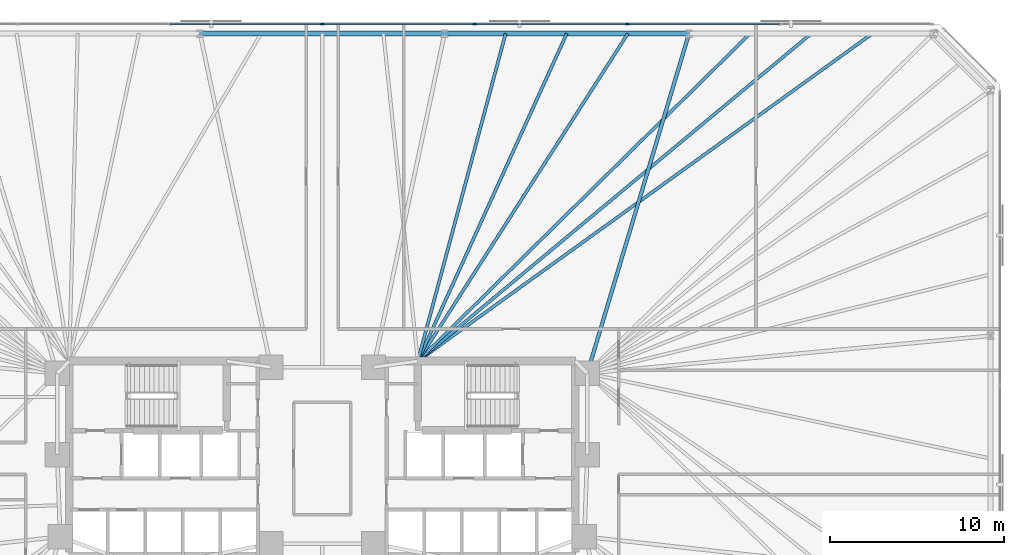
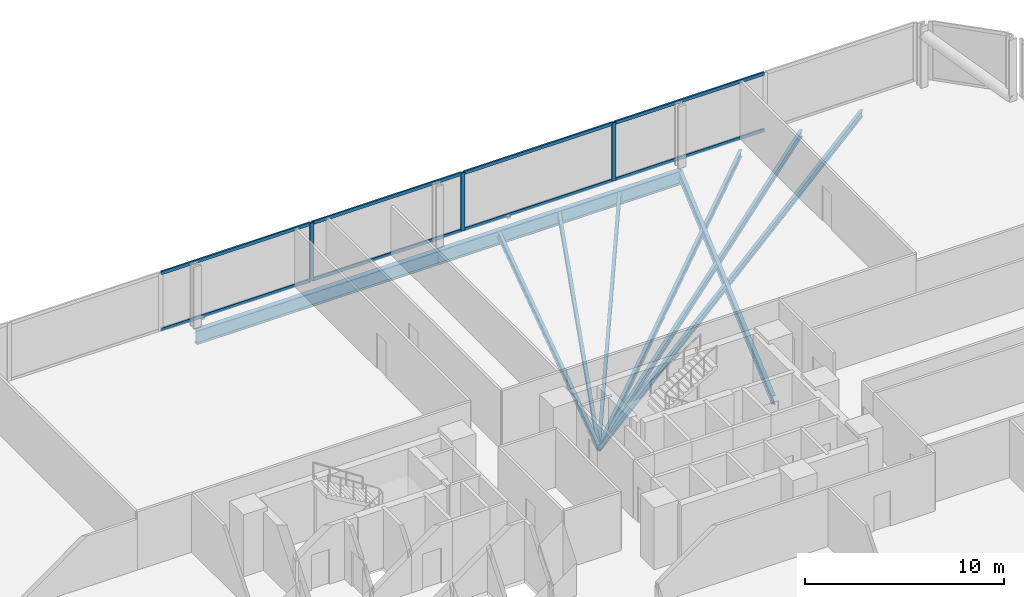
# One storey, part 9 of 17: 11 members, 9 beams, 1 element without a shape of its own.
"""IFC4 building model written with IfcOpenShell, lengths in metres."""

import ifcopenshell
import ifcopenshell.guid

model = None  # the IFC model being written
_history = None  # IfcOwnerHistory: only IFC2X3 demands one
_inside = {}  # id of a spatial element -> (the spatial element, [elements in it])
_under = {}  # id of a project, library or spatial element -> (it, [spatial elements below it])
_declared = {}  # id of a project -> (the project, [libraries it declares])
_typed = {}  # id of a type object -> (the type object, [elements of that type])
_made_of = {}  # id of a material, layer set ... -> (it, [elements and type objects made of it])


def new_model(schema):
    """Start an empty IFC model of exactly this schema.

    Asked for "IFC4X3", IfcOpenShell would pick the latest addendum, in which some entities
    have other attributes; the version numbers below select the first issue.
    IFC2X3 requires an IfcOwnerHistory on every rooted entity: one is made here for all.
    """
    global model, _history
    if schema == "IFC4X3":
        model = ifcopenshell.file(schema_version=(4, 3, 0, 0))
    else:
        model = ifcopenshell.file(schema=schema)
    _inside.clear()
    _under.clear()
    _declared.clear()
    _typed.clear()
    _made_of.clear()
    _history = None
    if model.schema == "IFC2X3":
        org = make("IfcOrganization", Name="unknown")
        user = make(
            "IfcPersonAndOrganization",
            ThePerson=make("IfcPerson", FamilyName="unknown"),
            TheOrganization=org,
        )
        app = make(
            "IfcApplication",
            ApplicationDeveloper=org,
            Version="unknown",
            ApplicationFullName="unknown",
            ApplicationIdentifier="unknown",
        )
        _history = make(
            "IfcOwnerHistory",
            OwningUser=user,
            OwningApplication=app,
            ChangeAction="ADDED",
            CreationDate=0,
        )
    return model


def make(cls, **values):
    """One entity of the class cls with the attributes given. An attribute that is None is left unset."""
    return model.create_entity(
        cls, **{name: value for name, value in values.items() if value is not None}
    )


def rooted(cls, **values):
    """An entity with a GlobalId (a new one), such as an element, a storey or a relation."""
    return make(cls, GlobalId=ifcopenshell.guid.new(), OwnerHistory=_history, **values)


def si_unit(unit_type, name, prefix=None):
    """IfcSIUnit, for example si_unit("LENGTHUNIT", "METRE", prefix="MILLI")."""
    return make("IfcSIUnit", UnitType=unit_type, Prefix=prefix, Name=name)


def assignment(units):
    """IfcUnitAssignment: the units of a project."""
    return None if units is None else make("IfcUnitAssignment", Units=units)


def point(xyz):
    """IfcCartesianPoint."""
    return None if xyz is None else make("IfcCartesianPoint", Coordinates=xyz)


def direction(xyz):
    """IfcDirection."""
    return None if xyz is None else make("IfcDirection", DirectionRatios=xyz)


def frame(location, z_axis=None, x_axis=None):
    """IfcAxis2Placement3D, a coordinate frame: its origin and axes. An axis left out is left unset."""
    return make(
        "IfcAxis2Placement3D",
        Location=point(location),
        Axis=direction(z_axis),
        RefDirection=direction(x_axis),
    )


def frame_2d(location, x_axis=None):
    """IfcAxis2Placement2D, a coordinate frame in the plane: its origin and x axis."""
    return make(
        "IfcAxis2Placement2D", Location=point(location), RefDirection=direction(x_axis)
    )


def origin():
    """The frame at (0, 0, 0) with its axes left unset."""
    return frame((0.0, 0.0, 0.0))


def origin_2d():
    """The frame at (0, 0) in the plane with its x axis left unset."""
    return frame_2d((0.0, 0.0))


def place(relative_to, where):
    """IfcLocalPlacement: puts the frame where relative to a parent placement (None: the world)."""
    return make(
        "IfcLocalPlacement", PlacementRelTo=relative_to, RelativePlacement=where
    )


def context(
    kind, dimensions, precision=None, world=None, true_north=None, identifier=None
):
    """IfcGeometricRepresentationContext, for example the 3D "Model" context."""
    return make(
        "IfcGeometricRepresentationContext",
        ContextIdentifier=identifier,
        ContextType=kind,
        CoordinateSpaceDimension=dimensions,
        Precision=precision,
        WorldCoordinateSystem=world,
        TrueNorth=true_north,
    )


def subcontext(parent, identifier, kind, view, scale=None):
    """IfcGeometricRepresentationSubContext, for example "Body" below "Model"."""
    return make(
        "IfcGeometricRepresentationSubContext",
        ContextIdentifier=identifier,
        ContextType=kind,
        ParentContext=parent,
        TargetScale=scale,
        TargetView=view,
    )


def project(units=None, contexts=None):
    """IfcProject with its units and contexts."""
    return rooted(
        "IfcProject",
        Name="project",
        RepresentationContexts=contexts,
        UnitsInContext=assignment(units),
    )


def spatial(cls, under=None, at=None, **own):
    """A site, building, storey or space (cls), placed at a placement, below another one or the project."""
    s = rooted(cls, ObjectPlacement=at, **own)
    if under is not None:
        _under.setdefault(under.id(), (under, []))[1].append(s)
    return s


def profile(cls, at=None, kind="AREA", **sizes):
    """A parametric profile (cls). Its sizes go by their IFC names, for example OverallWidth=200.0."""
    return make(cls, ProfileType=kind, Position=at, **sizes)


def rectangle(**sizes):
    """IfcRectangleProfileDef."""
    return profile("IfcRectangleProfileDef", **sizes)


def i_section(**sizes):
    """IfcIShapeProfileDef."""
    return profile("IfcIShapeProfileDef", **sizes)


def extrude(swept, where, along, depth):
    """IfcExtrudedAreaSolid: the profile swept, set in the frame where, extruded along a direction by depth."""
    return make(
        "IfcExtrudedAreaSolid",
        SweptArea=swept,
        Position=where,
        ExtrudedDirection=direction(along),
        Depth=depth,
    )


def shape(context_of_items, identifier, shape_type, items):
    """IfcShapeRepresentation: the items that make up one representation, for example the "Body"."""
    return make(
        "IfcShapeRepresentation",
        ContextOfItems=context_of_items,
        RepresentationIdentifier=identifier,
        RepresentationType=shape_type,
        Items=items,
    )


def material(Name=None, Category=None):
    """IfcMaterial."""
    return make("IfcMaterial", Name=Name, Category=Category)


def material_profile(
    of_material, cross_section, Name=None, Category=None, Priority=None
):
    """IfcMaterialProfile: a cross section and its material."""
    return make(
        "IfcMaterialProfile",
        Name=Name,
        Material=of_material,
        Profile=cross_section,
        Priority=Priority,
        Category=Category,
    )


def profile_set(profiles, Name=None, composite=None):
    """IfcMaterialProfileSet."""
    return make(
        "IfcMaterialProfileSet",
        Name=Name,
        MaterialProfiles=profiles,
        CompositeProfile=composite,
    )


def made_of(thing, what):
    """Note that an element or type object is made of a material, layer set ...; save() writes the relation."""
    if what is not None:
        _made_of.setdefault(what.id(), (what, []))[1].append(thing)
    return thing


def type_object(cls, material=None, **own):
    """A type object (cls), such as IfcWallType, which elements share."""
    return made_of(rooted(cls, **own), material)


def element(
    cls,
    number,
    at=None,
    inside=None,
    cuts=None,
    type_object=None,
    material=None,
    context=None,
    identifier="Body",
    shape_type=None,
    held_by="IfcProductDefinitionShape",
    body=None,
    shapes=None,
    **own,
):
    """One element of the class cls, such as IfcWall. Its Tag is "e" and its number.

    at: its placement. inside: the storey or other place that contains it. cuts: it is an
    opening in that element (IfcRelVoidsElement). A single representation is given by context,
    identifier, shape_type and body (its items); several are given by shapes. held_by: the class
    of the entity that holds the representations. save() writes the other relations.
    """
    e = rooted(cls, Tag="e%d" % number, ObjectPlacement=at, **own)
    if body is not None:
        shapes = [shape(context, identifier, shape_type, body)]
    if shapes is not None:
        e.Representation = make(held_by, Representations=shapes)
    if inside is not None:
        _inside.setdefault(inside.id(), (inside, []))[1].append(e)
    if cuts is not None:
        rooted(
            "IfcRelVoidsElement", RelatingBuildingElement=cuts, RelatedOpeningElement=e
        )
    if type_object is not None:
        _typed.setdefault(type_object.id(), (type_object, []))[1].append(e)
    return made_of(e, material)


def aggregate(whole, parts):
    """IfcRelAggregates: a whole, such as a stair, and the parts it consists of."""
    return rooted("IfcRelAggregates", RelatingObject=whole, RelatedObjects=parts)


def save(model, path):
    """Write the relations noted so far, then the file.

    IfcRelAggregates (storeys below a building ...), IfcRelContainedInSpatialStructure (elements
    in a storey), IfcRelDefinesByType, IfcRelAssociatesMaterial and IfcRelDeclares: one each for
    every whole, place, type object, material and project.
    """
    for whole, parts in _under.values():
        aggregate(whole, parts)
    for where, things in _inside.values():
        rooted(
            "IfcRelContainedInSpatialStructure",
            RelatedElements=things,
            RelatingStructure=where,
        )
    for kind, things in _typed.values():
        rooted("IfcRelDefinesByType", RelatedObjects=things, RelatingType=kind)
    for what, things in _made_of.values():
        rooted("IfcRelAssociatesMaterial", RelatedObjects=things, RelatingMaterial=what)
    for by, libraries in _declared.values():
        rooted("IfcRelDeclares", RelatingContext=by, RelatedDefinitions=libraries)
    model.write(path)


model = new_model("IFC4")

# Units and contexts
model_context = context("Model", 3, precision=1e-05, world=origin(), true_north=direction((0.0, 1.0)))
body_context = subcontext(model_context, "Body", "Model", "MODEL_VIEW")
ifc_project = project(units=[si_unit("LENGTHUNIT", "METRE"), si_unit("AREAUNIT", "SQUARE_METRE"), si_unit("VOLUMEUNIT", "CUBIC_METRE"), si_unit("PLANEANGLEUNIT", "RADIAN"), si_unit("MASSUNIT", "GRAM", prefix="KILO")], contexts=[model_context])

# Site, building, storey
site_placement = place(None, origin())
site = spatial("IfcSite", under=ifc_project, at=site_placement, CompositionType="ELEMENT")
building_placement = place(site_placement, origin())
building = spatial("IfcBuilding", under=site, at=building_placement, Name="Menara Jurai Vektor", CompositionType="ELEMENT")
storey_placement = place(building_placement, frame((0.0, 0.0, 29.39990234375)))
storey = spatial("IfcBuildingStorey", under=building, at=storey_placement, Name="L06", CompositionType="ELEMENT", Elevation=29.39990234375)

# Curtain wall, members
ifc_material_1 = material(Name="Anodised Pale Aluminium & Low-E Double Glazing", Category="aluminium")
curtain_wall_type = type_object("IfcCurtainWallType", Name="CW-BLK1", PredefinedType="NOTDEFINED", material=ifc_material_1)
curtain_wall_placement = place(storey_placement, origin())
curtain_wall = element("IfcCurtainWall", 1, at=curtain_wall_placement, inside=storey, type_object=curtain_wall_type, Name="Unitised Curtain Wall L06 F05", PredefinedType="NOTDEFINED")
ifc_material_2 = material(Name="Anodised Pale Aluminium Mullion", Category="aluminium")
ifc_material_profile_1 = material_profile(ifc_material_2, rectangle(XDim=0.094970703125, YDim=0.239990234375, at=origin_2d()), Name="ALU MUL 95x240")
ifc_profile_set_1 = profile_set([ifc_material_profile_1], Name="Anodised Pale Aluminium Mullion")
member_type_1 = type_object("IfcMemberType", Name="CW-BLK1-MUL", PredefinedType="MULLION", material=ifc_profile_set_1)
member_1_placement = place(storey_placement, frame((17.56005859375, 25.0, 0.0), z_axis=(0.0, 0.0, 1.0), x_axis=(0.0, -1.0, 0.0)))
member_1 = element("IfcMember", 2, at=member_1_placement, type_object=member_type_1, Name="CW-01 mullion 3", PredefinedType="MULLION", context=body_context, shape_type="SweptSolid", body=[
    extrude(rectangle(XDim=0.094970703125, YDim=0.239990234375, at=origin_2d()), origin(), (0.0, 0.0, 1.0), 3.5751953125),
])
member_2_placement = place(storey_placement, frame((8.780029296875, 25.0, 0.0), z_axis=(0.0, 0.0, 1.0), x_axis=(0.0, -1.0, 0.0)))
member_2 = element("IfcMember", 3, at=member_2_placement, type_object=member_type_1, Name="CW-01 mullion 4", PredefinedType="MULLION", context=body_context, shape_type="SweptSolid", body=[
    extrude(rectangle(XDim=0.094970703125, YDim=0.239990234375, at=origin_2d()), origin(), (0.0, 0.0, 1.0), 3.5751953125),
])
member_3_placement = place(storey_placement, frame((0.0, 25.0, 0.0), z_axis=(0.0, 0.0, 1.0), x_axis=(0.0, -1.0, 0.0)))
member_3 = element("IfcMember", 4, at=member_3_placement, type_object=member_type_1, Name="CW-01 mullion 5", PredefinedType="MULLION", context=body_context, shape_type="SweptSolid", body=[
    extrude(rectangle(XDim=0.094970703125, YDim=0.239990234375, at=origin_2d()), origin(), (0.0, 0.0, 1.0), 3.5751953125),
])
ifc_material_3 = material(Name="Anodised Pale Aluminium Transom", Category="aluminium")
ifc_material_profile_2 = material_profile(ifc_material_3, rectangle(XDim=0.094970703125, YDim=0.199951171875, at=origin_2d()), Name="ALU TRN 95x200")
ifc_profile_set_2 = profile_set([ifc_material_profile_2], Name="Anodised Pale Aluminium Transom")
member_type_2 = type_object("IfcMemberType", Name="CW-BLK1-TRN", PredefinedType="USERDEFINED", material=ifc_profile_set_2)
member_4_placement = place(storey_placement, frame((26.29248046875, 25.0, 0.047607421875), z_axis=(-1.0, 0.0, 0.0), x_axis=(0.0, -1.0, 0.0)))
member_4 = element("IfcMember", 5, at=member_4_placement, type_object=member_type_2, Name="CW-01 transom 2.1", ObjectType="TRANSOM", PredefinedType="USERDEFINED", context=body_context, shape_type="SweptSolid", body=[
    extrude(rectangle(XDim=0.094970703125, YDim=0.199951171875, at=origin_2d()), origin(), (0.0, 0.0, 1.0), 8.68505859375),
])
member_5_placement = place(storey_placement, frame((26.29248046875, 25.0, 3.527587890625), z_axis=(-1.0, 0.0, 0.0), x_axis=(0.0, -1.0, 0.0)))
member_5 = element("IfcMember", 6, at=member_5_placement, type_object=member_type_2, Name="CW-01 transom 2.2", ObjectType="TRANSOM", PredefinedType="USERDEFINED", context=body_context, shape_type="SweptSolid", body=[
    extrude(rectangle(XDim=0.094970703125, YDim=0.199951171875, at=origin_2d()), origin(), (0.0, 0.0, 1.0), 8.68505859375),
])
member_6_placement = place(storey_placement, frame((17.512451171875, 25.0, 0.047607421875), z_axis=(-1.0, 0.0, 0.0), x_axis=(0.0, -1.0, 0.0)))
member_6 = element("IfcMember", 7, at=member_6_placement, type_object=member_type_2, Name="CW-01 transom 3.1", ObjectType="TRANSOM", PredefinedType="USERDEFINED", context=body_context, shape_type="SweptSolid", body=[
    extrude(rectangle(XDim=0.094970703125, YDim=0.199951171875, at=origin_2d()), origin(), (0.0, 0.0, 1.0), 8.68505859375),
])
member_7_placement = place(storey_placement, frame((17.512451171875, 25.0, 3.527587890625), z_axis=(-1.0, 0.0, 0.0), x_axis=(0.0, -1.0, 0.0)))
member_7 = element("IfcMember", 8, at=member_7_placement, type_object=member_type_2, Name="CW-01 transom 3.2", ObjectType="TRANSOM", PredefinedType="USERDEFINED", context=body_context, shape_type="SweptSolid", body=[
    extrude(rectangle(XDim=0.094970703125, YDim=0.199951171875, at=origin_2d()), origin(), (0.0, 0.0, 1.0), 8.68505859375),
])
member_8_placement = place(storey_placement, frame((8.732421875, 25.0, 0.047607421875), z_axis=(-1.0, 0.0, 0.0), x_axis=(0.0, -1.0, 0.0)))
member_8 = element("IfcMember", 9, at=member_8_placement, type_object=member_type_2, Name="CW-01 transom 4.1", ObjectType="TRANSOM", PredefinedType="USERDEFINED", context=body_context, shape_type="SweptSolid", body=[
    extrude(rectangle(XDim=0.094970703125, YDim=0.199951171875, at=origin_2d()), origin(), (0.0, 0.0, 1.0), 8.684814453125),
])
member_9_placement = place(storey_placement, frame((8.732421875, 25.0, 3.527587890625), z_axis=(-1.0, 0.0, 0.0), x_axis=(0.0, -1.0, 0.0)))
member_9 = element("IfcMember", 10, at=member_9_placement, type_object=member_type_2, Name="CW-01 transom 4.2", ObjectType="TRANSOM", PredefinedType="USERDEFINED", context=body_context, shape_type="SweptSolid", body=[
    extrude(rectangle(XDim=0.094970703125, YDim=0.199951171875, at=origin_2d()), origin(), (0.0, 0.0, 1.0), 8.684814453125),
])
member_10_placement = place(storey_placement, frame((-0.047607421875, 25.0, 0.047607421875), z_axis=(-1.0, 0.0, 0.0), x_axis=(0.0, -1.0, 0.0)))
member_10 = element("IfcMember", 11, at=member_10_placement, type_object=member_type_2, Name="CW-01 transom 5.1", ObjectType="TRANSOM", PredefinedType="USERDEFINED", context=body_context, shape_type="SweptSolid", body=[
    extrude(rectangle(XDim=0.094970703125, YDim=0.199951171875, at=origin_2d()), origin(), (0.0, 0.0, 1.0), 8.684814453125),
])
member_11_placement = place(storey_placement, frame((-0.047607421875, 25.0, 3.527587890625), z_axis=(-1.0, 0.0, 0.0), x_axis=(0.0, -1.0, 0.0)))
member_11 = element("IfcMember", 12, at=member_11_placement, type_object=member_type_2, Name="CW-01 transom 5.2", ObjectType="TRANSOM", PredefinedType="USERDEFINED", context=body_context, shape_type="SweptSolid", body=[
    extrude(rectangle(XDim=0.094970703125, YDim=0.199951171875, at=origin_2d()), origin(), (0.0, 0.0, 1.0), 8.684814453125),
])
aggregate(curtain_wall, [member_1, member_2, member_3, member_4, member_5, member_6, member_7, member_8, member_9, member_10, member_11])

# Beams
ifc_material_4 = material(Name="Steel S355", Category="steel")
ifc_material_profile_3 = material_profile(ifc_material_4, i_section(OverallWidth=0.2109375, OverallDepth=0.5390625, WebThickness=0.011962890625, FlangeThickness=0.01904296875, FilletRadius=0.012939453125, at=origin_2d()), Name="UKB 533x210x109")
ifc_profile_set_3 = profile_set([ifc_material_profile_3], Name="Steel S355")
beam_type_1 = type_object("IfcBeamType", Name="STR-BM-533", PredefinedType="BEAM", material=ifc_profile_set_3)
beam_1_placement = place(storey_placement, frame((21.106689453125, 24.449951171875, -0.494384765625), z_axis=(-0.286973617166, -0.957938486047, 0.0), x_axis=(0.957938486047, -0.286973617166, 0.0)))
element("IfcBeam", 13, at=beam_1_placement, inside=storey, type_object=beam_type_1, Name="Radial Floor Girder L06-N2", PredefinedType="BEAM", context=body_context, shape_type="SweptSolid", body=[
    extrude(i_section(OverallWidth=0.2109375, OverallDepth=0.5390625, WebThickness=0.011962890625, FlangeThickness=0.01904296875, FilletRadius=0.012939453125, at=origin_2d()), origin(), (0.0, 0.0, 1.0), 20.408447265625),
])
ifc_material_profile_4 = material_profile(ifc_material_4, i_section(OverallWidth=0.178955078125, OverallDepth=0.408935546875, WebThickness=0.009033203125, FlangeThickness=0.013916015625, FilletRadius=0.010009765625, at=origin_2d()), Name="UKB 406x178x67")
ifc_profile_set_4 = profile_set([ifc_material_profile_4], Name="Steel S355")
beam_type_2 = type_object("IfcBeamType", Name="STR-JS-406", PredefinedType="JOIST", material=ifc_profile_set_4)
beam_2_placement = place(storey_placement, frame((31.659912109375, 24.449951171875, -0.429443359375), z_axis=(-0.81131785733, -0.584605280833, 0.0), x_axis=(0.584605280833, -0.81131785733, 0.0)))
element("IfcBeam", 14, at=beam_2_placement, inside=storey, type_object=beam_type_2, Name="Radial Secondary Floor Joist L06-JS16", PredefinedType="JOIST", context=body_context, shape_type="SweptSolid", body=[
    extrude(i_section(OverallWidth=0.178955078125, OverallDepth=0.408935546875, WebThickness=0.009033203125, FlangeThickness=0.013916015625, FilletRadius=0.010009765625, at=origin_2d()), origin(), (0.0, 0.0, 1.0), 32.24365234375),
])
beam_3_placement = place(storey_placement, frame((28.142333984375, 24.449951171875, -0.429443359375), z_axis=(-0.76853431665, -0.639808568347, 0.0), x_axis=(0.639808568347, -0.76853431665, 0.0)))
element("IfcBeam", 15, at=beam_3_placement, inside=storey, type_object=beam_type_2, Name="Radial Secondary Floor Joist L06-JS17", PredefinedType="JOIST", context=body_context, shape_type="SweptSolid", body=[
    extrude(i_section(OverallWidth=0.178955078125, OverallDepth=0.408935546875, WebThickness=0.009033203125, FlangeThickness=0.013916015625, FilletRadius=0.010009765625, at=origin_2d()), origin(), (0.0, 0.0, 1.0), 29.461669921875),
])
beam_4_placement = place(storey_placement, frame((24.62451171875, 24.449951171875, -0.429443359375), z_axis=(-0.712202462998, -0.70197411042, 0.0), x_axis=(0.70197411042, -0.712202462998, 0.0)))
element("IfcBeam", 16, at=beam_4_placement, inside=storey, type_object=beam_type_2, Name="Radial Secondary Floor Joist L06-JS18", PredefinedType="JOIST", context=body_context, shape_type="SweptSolid", body=[
    extrude(i_section(OverallWidth=0.178955078125, OverallDepth=0.408935546875, WebThickness=0.009033203125, FlangeThickness=0.013916015625, FilletRadius=0.010009765625, at=origin_2d()), origin(), (0.0, 0.0, 1.0), 26.8525390625),
])
beam_5_placement = place(storey_placement, frame((17.5888671875, 24.449951171875, -0.429443359375), z_axis=(-0.53984422461, -0.841764939372, 0.0), x_axis=(0.841764939372, -0.53984422461, 0.0)))
element("IfcBeam", 17, at=beam_5_placement, inside=storey, type_object=beam_type_2, Name="Radial Secondary Floor Joist L06-JS19", PredefinedType="JOIST", context=body_context, shape_type="SweptSolid", body=[
    extrude(i_section(OverallWidth=0.178955078125, OverallDepth=0.408935546875, WebThickness=0.009033203125, FlangeThickness=0.013916015625, FilletRadius=0.010009765625, at=origin_2d()), origin(), (0.0, 0.0, 1.0), 22.393310546875),
])
beam_6_placement = place(storey_placement, frame((14.071044921875, 24.449951171875, -0.429443359375), z_axis=(-0.413920197297, -0.910313171535, 0.0), x_axis=(0.910313171535, -0.413920197297, 0.0)))
element("IfcBeam", 18, at=beam_6_placement, inside=storey, type_object=beam_type_2, Name="Radial Secondary Floor Joist L06-JS20", PredefinedType="JOIST", context=body_context, shape_type="SweptSolid", body=[
    extrude(i_section(OverallWidth=0.178955078125, OverallDepth=0.408935546875, WebThickness=0.009033203125, FlangeThickness=0.013916015625, FilletRadius=0.010009765625, at=origin_2d()), origin(), (0.0, 0.0, 1.0), 20.70703125),
])
beam_7_placement = place(storey_placement, frame((10.55322265625, 24.449951171875, -0.429443359375), z_axis=(-0.258934723238, -0.965894823002, 0.0), x_axis=(0.965894823002, -0.258934723238, 0.0)))
element("IfcBeam", 19, at=beam_7_placement, inside=storey, type_object=beam_type_2, Name="Radial Secondary Floor Joist L06-JS21", PredefinedType="JOIST", context=body_context, shape_type="SweptSolid", body=[
    extrude(i_section(OverallWidth=0.178955078125, OverallDepth=0.408935546875, WebThickness=0.009033203125, FlangeThickness=0.013916015625, FilletRadius=0.010009765625, at=origin_2d()), origin(), (0.0, 0.0, 1.0), 19.515380859375),
])
ifc_material_5 = material(Name="Steel S460", Category="steel")
ifc_material_profile_5 = material_profile(ifc_material_5, i_section(OverallWidth=0.2939453125, OverallDepth=0.85107421875, WebThickness=0.01611328125, FlangeThickness=0.027099609375, FilletRadius=0.01806640625, at=origin_2d()), Name="UKB 838x292x226")
ifc_profile_set_5 = profile_set([ifc_material_profile_5], Name="Steel S460")
beam_type_3 = type_object("IfcBeamType", Name="STR-SP-838", PredefinedType="SPANDREL", material=ifc_profile_set_5)
beam_8_placement = place(storey_placement, frame((21.106689453125, 24.449951171875, -0.650390625), z_axis=(-1.0, 0.0, 0.0), x_axis=(0.0, -1.0, 0.0)))
element("IfcBeam", 20, at=beam_8_placement, inside=storey, type_object=beam_type_3, Name="Exoskeleton Spandrel Beam L06-12", PredefinedType="SPANDREL", context=body_context, shape_type="SweptSolid", body=[
    extrude(i_section(OverallWidth=0.2939453125, OverallDepth=0.85107421875, WebThickness=0.01611328125, FlangeThickness=0.027099609375, FilletRadius=0.01806640625, at=origin_2d()), origin(), (0.0, 0.0, 1.0), 14.071044921875),
])
beam_9_placement = place(storey_placement, frame((7.03564453125, 24.449951171875, -0.650390625), z_axis=(-1.0, 0.0, 0.0), x_axis=(0.0, -1.0, 0.0)))
element("IfcBeam", 21, at=beam_9_placement, inside=storey, type_object=beam_type_3, Name="Exoskeleton Spandrel Beam L06-13", PredefinedType="SPANDREL", context=body_context, shape_type="SweptSolid", body=[
    extrude(i_section(OverallWidth=0.2939453125, OverallDepth=0.85107421875, WebThickness=0.01611328125, FlangeThickness=0.027099609375, FilletRadius=0.01806640625, at=origin_2d()), origin(), (0.0, 0.0, 1.0), 14.0712890625),
])

save(model, "model.ifc")
